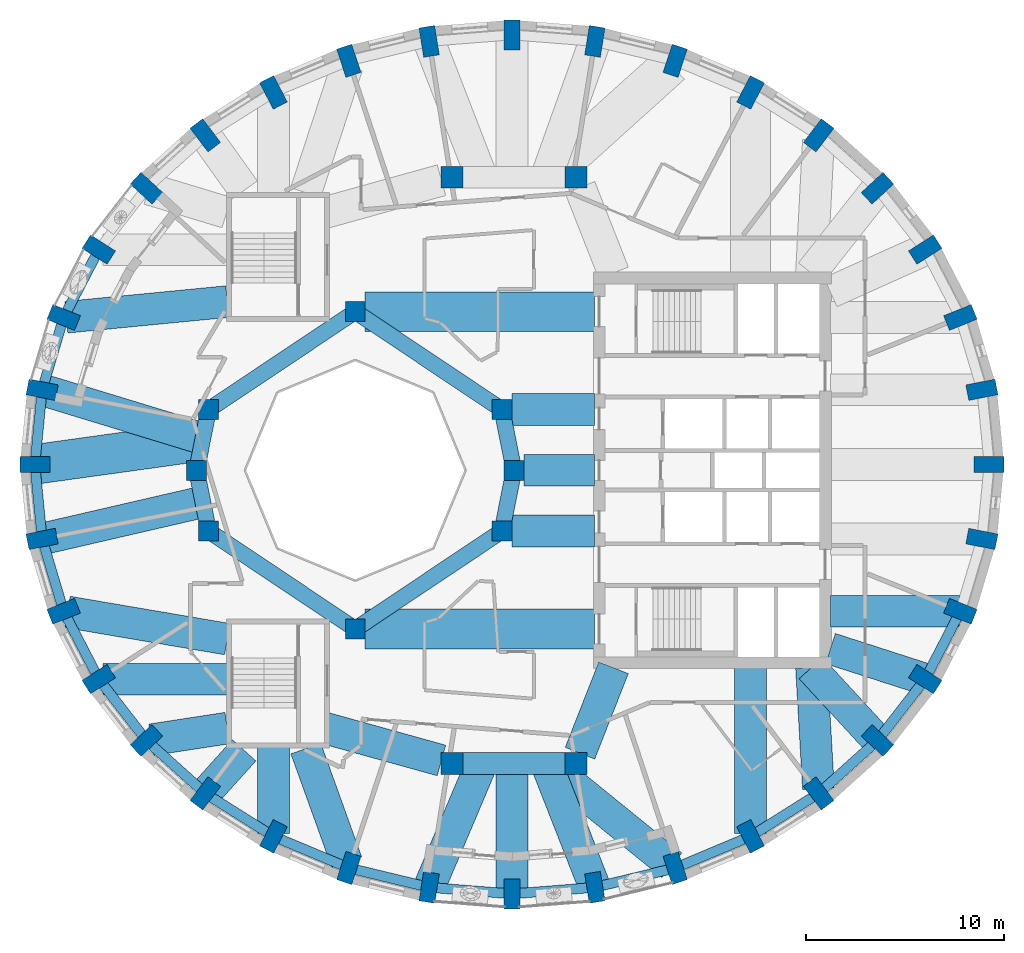
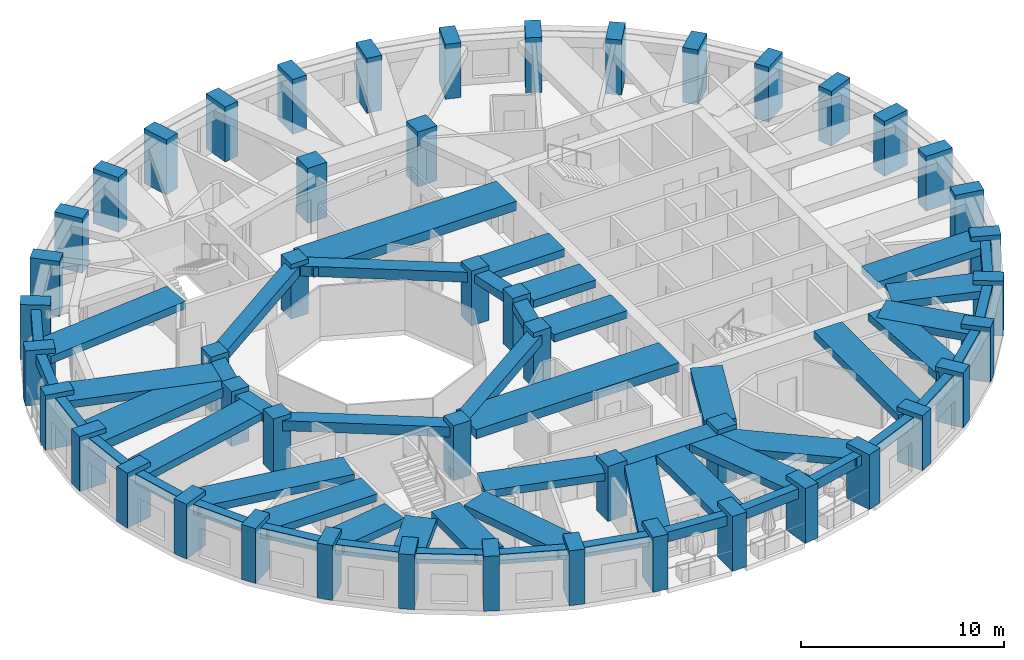
# One storey, part 1 of 12: 54 beams, 48 columns.
"""IFC4 building model written with IfcOpenShell, lengths in metres."""

from ifc_helpers import new_model, si_unit, direction, frame, origin, origin_2d, place, context, subcontext, project, spatial, rectangle, extrude, material, material_profile, profile_set, type_object, element, save


model = new_model("IFC4")

# Units and contexts
model_context = context("Model", 3, precision=1e-05, world=origin(), true_north=direction((0.0, 1.0)))
body_context = subcontext(model_context, "Body", "Model", "MODEL_VIEW")
ifc_project = project(units=[si_unit("LENGTHUNIT", "METRE"), si_unit("AREAUNIT", "SQUARE_METRE"), si_unit("VOLUMEUNIT", "CUBIC_METRE"), si_unit("PLANEANGLEUNIT", "RADIAN"), si_unit("MASSUNIT", "GRAM", prefix="KILO")], contexts=[model_context])

# Site, building, storey
site_placement = place(None, origin())
site = spatial("IfcSite", under=ifc_project, at=site_placement, CompositionType="ELEMENT")
building_placement = place(site_placement, origin())
building = spatial("IfcBuilding", under=site, at=building_placement, Name="Taillehof Tower", CompositionType="ELEMENT")
storey_placement = place(building_placement, frame((0.0, 0.0, 249.800048828125)))
storey = spatial("IfcBuildingStorey", under=building, at=storey_placement, Name="L71", CompositionType="ELEMENT", Elevation=249.800048828125)

# Columns
ifc_material_1 = material(Name="Concrete C50/60", Category="concrete")
ifc_material_profile_1 = material_profile(ifc_material_1, rectangle(XDim=1.0, YDim=1.0, at=origin_2d()), Name="RC 1000x1000")
ifc_profile_set_1 = profile_set([ifc_material_profile_1], Name="Concrete C50/60")
column_type_1 = type_object("IfcColumnType", Name="Atrium ring column C50/60 1000x1000", PredefinedType="COLUMN", material=ifc_profile_set_1)
for number, where, z_axis, x_axis, name in (
    (1, (0.0, 0.0, 0.0), (0.0, 0.0, 1.0), (1.0, 0.0, 0.0), "Column AC01"),
    (2, (-0.60888671875, 3.0615234375, 0.0), (0.0, 0.0, 1.0), (1.0, 0.0, 0.0), "Column AC02"),
    (3, (-8.0, 8.0, 0.0), (0.0, 0.0, 1.0), (1.0, 0.0, 0.0), "Column AC05"),
    (4, (-15.39111328125, 3.0615234375, 0.0), (0.0, 0.0, 1.0), (1.0, 0.0, 0.0), "Column AC08"),
    (5, (-16.0, 0.0, 0.0), (0.0, 0.0, 1.0), (1.0, 0.0, 0.0), "Column AC09"),
    (6, (-15.39111328125, -3.0615234375, 0.0), (0.0, 0.0, 1.0), (1.0, 0.0, 0.0), "Column AC10"),
    (7, (-8.0, -8.0, 0.0), (0.0, 0.0, 1.0), (1.0, 0.0, 0.0), "Column AC13"),
    (8, (-0.60888671875, -3.0615234375, 0.0), (0.0, 0.0, 1.0), (1.0, 0.0, 0.0), "Column AC16"),
):
    element("IfcColumn", number, at=place(storey_placement, frame(where, z_axis=z_axis, x_axis=x_axis)), inside=storey, type_object=column_type_1, Name=name, PredefinedType="COLUMN", context=body_context, shape_type="SweptSolid", body=[
        extrude(rectangle(XDim=1.0, YDim=1.0, at=origin_2d()), origin(), (0.0, 0.0, 1.0), 3.300048828125),
    ])
ifc_material_2 = material(Name="Concrete C50/60", Category="concrete")
ifc_material_profile_2 = material_profile(ifc_material_2, rectangle(XDim=1.10009765625, YDim=1.10009765625, at=origin_2d()), Name="RC 1100x1100")
ifc_profile_set_2 = profile_set([ifc_material_profile_2], Name="Concrete C50/60")
column_type_2 = type_object("IfcColumnType", Name="Mid-ring column C50/60 1100x1100", PredefinedType="COLUMN", material=ifc_profile_set_2)
for number, where, z_axis, x_axis, name in (
    (9, (3.125732421875, 14.772216796875, 0.0), (0.0, 0.0, 1.0), (1.0, 0.0, 0.0), "Column MC05"),
    (10, (-3.125732421875, 14.772216796875, 0.0), (0.0, 0.0, 1.0), (1.0, 0.0, 0.0), "Column MC06"),
    (11, (-3.125732421875, -14.772216796875, 0.0), (0.0, 0.0, 1.0), (1.0, 0.0, 0.0), "Column MC14"),
    (12, (3.125732421875, -14.772216796875, 0.0), (0.0, 0.0, 1.0), (1.0, 0.0, 0.0), "Column MC15"),
):
    element("IfcColumn", number, at=place(storey_placement, frame(where, z_axis=z_axis, x_axis=x_axis)), inside=storey, type_object=column_type_2, Name=name, PredefinedType="COLUMN", context=body_context, shape_type="SweptSolid", body=[
        extrude(rectangle(XDim=1.10009765625, YDim=1.10009765625, at=origin_2d()), origin(), (0.0, 0.0, 1.0), 3.300048828125),
    ])
ifc_material_3 = material(Name="Concrete C50/60", Category="concrete")
ifc_material_profile_3 = material_profile(ifc_material_3, rectangle(XDim=1.5, YDim=0.800048828125, at=origin_2d()), Name="RC 1500x800")
ifc_profile_set_3 = profile_set([ifc_material_profile_3], Name="Concrete C50/60")
column_type_3 = type_object("IfcColumnType", Name="Ring column C50/60 1500x800", PredefinedType="COLUMN", material=ifc_profile_set_3)
for number, where, z_axis, x_axis, name in (
    (13, (23.949951171875, 0.300048828125, 0.0), (0.0, 0.0, 1.0), (1.0, 0.0, 0.0), "Ring column RC01"),
    (14, (23.584716796875, 4.0595703125, 0.0), (0.0, 0.0, 1.0), (0.981472639166, 0.191602344891, 0.0), "Ring column RC02"),
    (15, (22.49951171875, 7.704833984375, 0.0), (0.0, 0.0, 1.0), (0.927524694272, 0.373761878092, 0.0), "Ring column RC03"),
    (16, (20.72802734375, 11.125, 0.0), (0.0, 0.0, 1.0), (0.842573772535, 0.538580948267, 0.0), "Ring column RC04"),
    (17, (18.323486328125, 14.21630859375, 0.0), (0.0, 0.0, 1.0), (0.73263579998, 0.680620881686, 0.0), "Ring column RC05"),
    (18, (15.359130859375, 16.884765625, 0.0), (0.0, 0.0, 1.0), (0.604020073066, 0.796969103123, 0.0), "Ring column RC06"),
    (19, (11.925048828125, 19.049560546875, 0.0), (0.0, 0.0, 1.0), (0.462383690865, 0.886679943622, 0.0), "Ring column RC07"),
    (20, (8.12548828125, 20.644287109375, 0.0), (0.0, 0.0, 1.0), (0.312304079287, 0.949982190391, 0.0), "Ring column RC08"),
    (21, (4.076171875, 21.62109375, 0.0), (0.0, 0.0, 1.0), (0.1572808136, 0.987553920388, 0.0), "Ring column RC09"),
    (22, (-0.10009765625, 21.949951171875, 0.0), (0.0, 0.0, 1.0), (0.0, 1.0, 0.0), "Ring column RC10"),
    (23, (-4.276123046875, 21.62109375, 0.0), (0.0, 0.0, 1.0), (-0.1572808136, 0.987553920388, 0.0), "Ring column RC11"),
    (24, (-8.32568359375, 20.644287109375, 0.0), (0.0, 0.0, 1.0), (-0.312304079287, 0.949982190391, 0.0), "Ring column RC12"),
    (25, (-12.125, 19.049560546875, 0.0), (0.0, 0.0, 1.0), (-0.462383690865, 0.886679943622, 0.0), "Ring column RC13"),
    (26, (-15.55908203125, 16.884765625, 0.0), (0.0, 0.0, 1.0), (-0.604020073066, 0.796969103123, 0.0), "Ring column RC14"),
    (27, (-18.5234375, 14.21630859375, 0.0), (0.0, 0.0, 1.0), (-0.73263579998, 0.680620881686, 0.0), "Ring column RC15"),
    (28, (-20.927978515625, 11.125, 0.0), (0.0, 0.0, 1.0), (-0.842573772535, 0.538580948267, 0.0), "Ring column RC16"),
    (29, (-22.69970703125, 7.704833984375, 0.0), (0.0, 0.0, 1.0), (-0.927524694272, 0.373761878092, 0.0), "Ring column RC17"),
    (30, (-23.78466796875, 4.0595703125, 0.0), (0.0, 0.0, 1.0), (-0.981472639166, 0.191602344891, 0.0), "Ring column RC18"),
    (31, (-24.14990234375, 0.300048828125, 0.0), (0.0, 0.0, 1.0), (-1.0, 0.0, 0.0), "Ring column RC19"),
    (32, (-23.78466796875, -3.45947265625, 0.0), (0.0, 0.0, 1.0), (-0.981472639166, -0.191602344891, 0.0), "Ring column RC20"),
    (33, (-22.69970703125, -7.104736328125, 0.0), (0.0, 0.0, 1.0), (-0.927524694272, -0.373761878092, 0.0), "Ring column RC21"),
    (34, (-20.927978515625, -10.52490234375, 0.0), (0.0, 0.0, 1.0), (-0.842573772535, -0.538580948267, 0.0), "Ring column RC22"),
    (35, (-18.5234375, -13.616455078125, 0.0), (0.0, 0.0, 1.0), (-0.73263579998, -0.680620881686, 0.0), "Ring column RC23"),
    (36, (-15.55908203125, -16.284912109375, 0.0), (0.0, 0.0, 1.0), (-0.604020073066, -0.796969103123, 0.0), "Ring column RC24"),
    (37, (-12.125, -18.449462890625, 0.0), (0.0, 0.0, 1.0), (-0.462383690865, -0.886679943622, 0.0), "Ring column RC25"),
    (38, (-8.32568359375, -20.04443359375, 0.0), (0.0, 0.0, 1.0), (-0.312304079287, -0.949982190391, 0.0), "Ring column RC26"),
    (39, (-4.276123046875, -21.02099609375, 0.0), (0.0, 0.0, 1.0), (-0.1572808136, -0.987553920388, 0.0), "Ring column RC27"),
    (40, (-0.10009765625, -21.35009765625, 0.0), (0.0, 0.0, 1.0), (0.0, -1.0, 0.0), "Ring column RC28"),
    (41, (4.076171875, -21.02099609375, 0.0), (0.0, 0.0, 1.0), (0.1572808136, -0.987553920388, 0.0), "Ring column RC29"),
    (42, (8.12548828125, -20.04443359375, 0.0), (0.0, 0.0, 1.0), (0.312304079287, -0.949982190391, 0.0), "Ring column RC30"),
    (43, (11.925048828125, -18.449462890625, 0.0), (0.0, 0.0, 1.0), (0.462383690865, -0.886679943622, 0.0), "Ring column RC31"),
    (44, (15.359130859375, -16.284912109375, 0.0), (0.0, 0.0, 1.0), (0.604020073066, -0.796969103123, 0.0), "Ring column RC32"),
    (45, (18.323486328125, -13.616455078125, 0.0), (0.0, 0.0, 1.0), (0.73263579998, -0.680620881686, 0.0), "Ring column RC33"),
    (46, (20.72802734375, -10.52490234375, 0.0), (0.0, 0.0, 1.0), (0.842573772535, -0.538580948267, 0.0), "Ring column RC34"),
    (47, (22.49951171875, -7.104736328125, 0.0), (0.0, 0.0, 1.0), (0.927524694272, -0.373761878092, 0.0), "Ring column RC35"),
    (48, (23.584716796875, -3.45947265625, 0.0), (0.0, 0.0, 1.0), (0.981472639166, -0.191602344891, 0.0), "Ring column RC36"),
):
    element("IfcColumn", number, at=place(storey_placement, frame(where, z_axis=z_axis, x_axis=x_axis)), inside=storey, type_object=column_type_3, Name=name, PredefinedType="COLUMN", context=body_context, shape_type="SweptSolid", body=[
        extrude(rectangle(XDim=1.5, YDim=0.800048828125, at=origin_2d()), origin(), (0.0, 0.0, 1.0), 3.300048828125),
    ])

# Beams
ifc_material_4 = material(Name="Concrete C50/60", Category="concrete")
ifc_material_profile_4 = material_profile(ifc_material_4, rectangle(XDim=0.800048828125, YDim=0.5, at=origin_2d()), Name="RC 800x500")
ifc_profile_set_4 = profile_set([ifc_material_profile_4], Name="Concrete C50/60")
beam_type_1 = type_object("IfcBeamType", Name="Atrium ring beam C50/60 800x500", PredefinedType="BEAM", material=ifc_profile_set_4)
for number, where, z_axis, x_axis, name in (
    (49, (0.0, 0.0, 2.77001953125), (-0.195063155143, 0.980790683839, 0.0), (-0.980790683839, -0.195063155143, 0.0), "Atrium ring beam AB01"),
    (50, (-15.39111328125, 3.0615234375, 2.77001953125), (-0.195063155143, -0.980790683839, 0.0), (0.980790683839, -0.195063155143, 0.0), "Atrium ring beam AB04"),
    (51, (-16.0, 0.0, 2.77001953125), (0.195063155143, -0.980790683839, 0.0), (0.980790683839, 0.195063155143, 0.0), "Atrium ring beam AB05"),
    (52, (-0.60888671875, -3.0615234375, 2.77001953125), (0.195063155143, 0.980790683839, 0.0), (-0.980790683839, 0.195063155143, 0.0), "Atrium ring beam AB08"),
):
    element("IfcBeam", number, at=place(storey_placement, frame(where, z_axis=z_axis, x_axis=x_axis)), inside=storey, type_object=beam_type_1, Name=name, PredefinedType="BEAM", context=body_context, shape_type="SweptSolid", body=[
        extrude(rectangle(XDim=0.800048828125, YDim=0.5, at=origin_2d()), origin(), (0.0, 0.0, 1.0), 3.12158203125),
    ])
ifc_material_5 = material(Name="Concrete C50/60", Category="concrete")
ifc_material_profile_5 = material_profile(ifc_material_5, rectangle(XDim=0.800048828125, YDim=0.60009765625, at=origin_2d()), Name="RC 800x600")
ifc_profile_set_5 = profile_set([ifc_material_profile_5], Name="Concrete C50/60")
beam_type_2 = type_object("IfcBeamType", Name="Atrium ring beam C50/60 800x600", PredefinedType="BEAM", material=ifc_profile_set_5)
for number, where, z_axis, x_axis, name in (
    (53, (-0.60888671875, 3.0615234375, 2.719970703125), (-0.831475195687, 0.555561876804, 0.0), (-0.555561876804, -0.831475195687, 0.0), "Atrium ring beam AB02"),
    (54, (-8.0, 8.0, 2.719970703125), (-0.831475195687, -0.555561876804, 0.0), (0.555561876804, -0.831475195687, 0.0), "Atrium ring beam AB03"),
    (55, (-15.39111328125, -3.0615234375, 2.719970703125), (0.831475195687, -0.555561876804, 0.0), (0.555561876804, 0.831475195687, 0.0), "Atrium ring beam AB06"),
    (56, (-8.0, -8.0, 2.719970703125), (0.831475195687, 0.555561876804, 0.0), (-0.555561876804, 0.831475195687, 0.0), "Atrium ring beam AB07"),
):
    element("IfcBeam", number, at=place(storey_placement, frame(where, z_axis=z_axis, x_axis=x_axis)), inside=storey, type_object=beam_type_2, Name=name, PredefinedType="BEAM", context=body_context, shape_type="SweptSolid", body=[
        extrude(rectangle(XDim=0.800048828125, YDim=0.60009765625, at=origin_2d()), origin(), (0.0, 0.0, 1.0), 8.88916015625),
    ])
ifc_material_6 = material(Name="Concrete C50/60", Category="concrete")
ifc_material_profile_6 = material_profile(ifc_material_6, rectangle(XDim=1.10009765625, YDim=0.60009765625, at=origin_2d()), Name="RC 1100x600")
ifc_profile_set_6 = profile_set([ifc_material_profile_6], Name="Concrete C50/60")
beam_type_3 = type_object("IfcBeamType", Name="Mid-ring beam C50/60 1100x600", PredefinedType="BEAM", material=ifc_profile_set_6)
beam_1_placement = place(storey_placement, frame((-3.125732421875, -14.772216796875, 2.719970703125), z_axis=(1.0, 0.0, 0.0), x_axis=(0.0, 1.0, 0.0)))
element("IfcBeam", 57, at=beam_1_placement, inside=storey, type_object=beam_type_3, Name="Mid-ring beam MB02", PredefinedType="BEAM", context=body_context, shape_type="SweptSolid", body=[
    extrude(rectangle(XDim=1.10009765625, YDim=0.60009765625, at=origin_2d()), origin(), (0.0, 0.0, 1.0), 6.25146484375),
])
ifc_material_7 = material(Name="Concrete C50/60", Category="concrete")
ifc_material_profile_7 = material_profile(ifc_material_7, rectangle(XDim=1.60009765625, YDim=0.449951171875, at=origin_2d()), Name="RC 1600x450")
ifc_profile_set_7 = profile_set([ifc_material_profile_7], Name="Concrete C50/60")
beam_type_4 = type_object("IfcBeamType", Name="Radial band beam C50/60 1600x450", PredefinedType="BEAM", material=ifc_profile_set_7)
beam_2_placement = place(storey_placement, frame((-22.564697265625, 7.7177734375, 2.794921875), z_axis=(0.995328408647, 0.096547185049, 0.0), x_axis=(-0.096547185049, 0.995328408647, 0.0)))
element("IfcBeam", 58, at=beam_2_placement, inside=storey, type_object=beam_type_4, Name="Radial band beam RB17", PredefinedType="BEAM", context=body_context, shape_type="SweptSolid", body=[
    extrude(rectangle(XDim=1.60009765625, YDim=0.449951171875, at=origin_2d()), origin(), (0.0, 0.0, 1.0), 8.152587890625),
])
beam_3_placement = place(storey_placement, frame((-23.78466796875, 4.0595703125, 2.794921875), z_axis=(0.956552302924, -0.291560785721, 0.0), x_axis=(0.291560785721, 0.956552302924, 0.0)))
element("IfcBeam", 59, at=beam_3_placement, inside=storey, type_object=beam_type_4, Name="Radial band beam RB18", PredefinedType="BEAM", context=body_context, shape_type="SweptSolid", body=[
    extrude(rectangle(XDim=1.60009765625, YDim=0.449951171875, at=origin_2d()), origin(), (0.0, 0.0, 1.0), 8.468994140625),
])
beam_4_placement = place(storey_placement, frame((-23.78466796875, -3.45947265625, 2.794921875), z_axis=(0.974400103511, 0.224820902672, 0.0), x_axis=(-0.224820902672, 0.974400103511, 0.0)))
element("IfcBeam", 60, at=beam_4_placement, inside=storey, type_object=beam_type_4, Name="Radial band beam RB20", PredefinedType="BEAM", context=body_context, shape_type="SweptSolid", body=[
    extrude(rectangle(XDim=1.60009765625, YDim=0.449951171875, at=origin_2d()), origin(), (0.0, 0.0, 1.0), 8.31396484375),
])
beam_5_placement = place(storey_placement, frame((-22.502685546875, -7.13818359375, 2.794921875), z_axis=(0.985830005482, -0.167747430059, 0.0), x_axis=(0.167747430059, 0.985830005482, 0.0)))
element("IfcBeam", 61, at=beam_5_placement, inside=storey, type_object=beam_type_4, Name="Radial band beam RB21", PredefinedType="BEAM", context=body_context, shape_type="SweptSolid", body=[
    extrude(rectangle(XDim=1.60009765625, YDim=0.449951171875, at=origin_2d()), origin(), (0.0, 0.0, 1.0), 8.167724609375),
])
beam_6_placement = place(storey_placement, frame((-20.7119140625, -10.52490234375, 2.794921875), z_axis=(1.0, 0.0, 0.0), x_axis=(0.0, 1.0, 0.0)))
element("IfcBeam", 62, at=beam_6_placement, inside=storey, type_object=beam_type_4, Name="Radial band beam RB22", PredefinedType="BEAM", context=body_context, shape_type="SweptSolid", body=[
    extrude(rectangle(XDim=1.60009765625, YDim=0.449951171875, at=origin_2d()), origin(), (0.0, 0.0, 1.0), 6.261962890625),
])
beam_7_placement = place(storey_placement, frame((-18.283447265625, -13.57958984375, 2.794921875), z_axis=(0.988468308682, 0.151427879634, 0.0), x_axis=(-0.151427879634, 0.988468308682, 0.0)))
element("IfcBeam", 63, at=beam_7_placement, inside=storey, type_object=beam_type_4, Name="Radial band beam RB23", PredefinedType="BEAM", context=body_context, shape_type="SweptSolid", body=[
    extrude(rectangle(XDim=1.60009765625, YDim=0.449951171875, at=origin_2d()), origin(), (0.0, 0.0, 1.0), 3.87744140625),
])
beam_8_placement = place(storey_placement, frame((-15.55908203125, -16.284912109375, 2.794921875), z_axis=(0.669439419649, 0.742866652516, 0.0), x_axis=(-0.742866652516, 0.669439419649, 0.0)))
element("IfcBeam", 64, at=beam_8_placement, inside=storey, type_object=beam_type_4, Name="Radial band beam RB24", PredefinedType="BEAM", context=body_context, shape_type="SweptSolid", body=[
    extrude(rectangle(XDim=1.60009765625, YDim=0.449951171875, at=origin_2d()), origin(), (0.0, 0.0, 1.0), 2.926025390625),
])
beam_9_placement = place(storey_placement, frame((-12.125, -18.3154296875, 2.794921875), z_axis=(0.0, 1.0, 0.0), x_axis=(-1.0, 0.0, 0.0)))
element("IfcBeam", 65, at=beam_9_placement, inside=storey, type_object=beam_type_4, Name="Radial band beam RB25", PredefinedType="BEAM", context=body_context, shape_type="SweptSolid", body=[
    extrude(rectangle(XDim=1.60009765625, YDim=0.449951171875, at=origin_2d()), origin(), (0.0, 0.0, 1.0), 4.365478515625),
])
beam_10_placement = place(storey_placement, frame((-8.42919921875, -19.755859375, 2.794921875), z_axis=(-0.338515207556, 0.940960920683, 0.0), x_axis=(-0.940960920683, -0.338515207556, 0.0)))
element("IfcBeam", 66, at=beam_10_placement, inside=storey, type_object=beam_type_4, Name="Radial band beam RB26", PredefinedType="BEAM", context=body_context, shape_type="SweptSolid", body=[
    extrude(rectangle(XDim=1.60009765625, YDim=0.449951171875, at=origin_2d()), origin(), (0.0, 0.0, 1.0), 6.094970703125),
])
beam_11_placement = place(storey_placement, frame((-4.276123046875, -21.02099609375, 2.794921875), z_axis=(0.390474101739, 0.920613912491, 0.0), x_axis=(-0.920613912491, 0.390474101739, 0.0)))
element("IfcBeam", 67, at=beam_11_placement, inside=storey, type_object=beam_type_4, Name="Radial band beam RB27", PredefinedType="BEAM", context=body_context, shape_type="SweptSolid", body=[
    extrude(rectangle(XDim=1.60009765625, YDim=0.449951171875, at=origin_2d()), origin(), (0.0, 0.0, 1.0), 6.78759765625),
])
beam_12_placement = place(storey_placement, frame((-0.10009765625, -21.35009765625, 2.794921875), z_axis=(0.0, 1.0, 0.0), x_axis=(-1.0, 0.0, 0.0)))
element("IfcBeam", 68, at=beam_12_placement, inside=storey, type_object=beam_type_4, Name="Radial band beam RB28", PredefinedType="BEAM", context=body_context, shape_type="SweptSolid", body=[
    extrude(rectangle(XDim=1.60009765625, YDim=0.449951171875, at=origin_2d()), origin(), (0.0, 0.0, 1.0), 6.577880859375),
])
beam_13_placement = place(storey_placement, frame((4.076171875, -21.02099609375, 2.794921875), z_axis=(-0.365079492969, 0.93097634976, 0.0), x_axis=(-0.93097634976, -0.365079492969, 0.0)))
element("IfcBeam", 69, at=beam_13_placement, inside=storey, type_object=beam_type_4, Name="Radial band beam RB29", PredefinedType="BEAM", context=body_context, shape_type="SweptSolid", body=[
    extrude(rectangle(XDim=1.60009765625, YDim=0.449951171875, at=origin_2d()), origin(), (0.0, 0.0, 1.0), 6.712158203125),
])
beam_14_placement = place(storey_placement, frame((7.9560546875, -19.90673828125, 2.794921875), z_axis=(-0.776646099525, 0.629937168369, 0.0), x_axis=(-0.629937168369, -0.776646099525, 0.0)))
element("IfcBeam", 70, at=beam_14_placement, inside=storey, type_object=beam_type_4, Name="Radial band beam RB30", PredefinedType="BEAM", context=body_context, shape_type="SweptSolid", body=[
    extrude(rectangle(XDim=1.60009765625, YDim=0.449951171875, at=origin_2d()), origin(), (0.0, 0.0, 1.0), 8.03759765625),
])
beam_15_placement = place(storey_placement, frame((11.925048828125, -18.3154296875, 2.794921875), z_axis=(0.0, 1.0, 0.0), x_axis=(-1.0, 0.0, 0.0)))
element("IfcBeam", 71, at=beam_15_placement, inside=storey, type_object=beam_type_4, Name="Radial band beam RB31", PredefinedType="BEAM", context=body_context, shape_type="SweptSolid", body=[
    extrude(rectangle(XDim=1.60009765625, YDim=0.449951171875, at=origin_2d()), origin(), (0.0, 0.0, 1.0), 8.365478515625),
])
beam_16_placement = place(storey_placement, frame((15.345703125, -16.050537109375, 2.794921875), z_axis=(-0.057056617778, 0.998370944273, 0.0), x_axis=(-0.998370944273, -0.057056617778, 0.0)))
element("IfcBeam", 72, at=beam_16_placement, inside=storey, type_object=beam_type_4, Name="Radial band beam RB32", PredefinedType="BEAM", context=body_context, shape_type="SweptSolid", body=[
    extrude(rectangle(XDim=1.60009765625, YDim=0.449951171875, at=origin_2d()), origin(), (0.0, 0.0, 1.0), 6.1103515625),
])
beam_17_placement = place(storey_placement, frame((18.323486328125, -13.616455078125, 2.794921875), z_axis=(-0.676659897365, 0.736295717289, 0.0), x_axis=(-0.736295717289, -0.676659897365, 0.0)))
element("IfcBeam", 73, at=beam_17_placement, inside=storey, type_object=beam_type_4, Name="Radial band beam RB33", PredefinedType="BEAM", context=body_context, shape_type="SweptSolid", body=[
    extrude(rectangle(XDim=1.60009765625, YDim=0.449951171875, at=origin_2d()), origin(), (0.0, 0.0, 1.0), 4.961669921875),
])
beam_18_placement = place(storey_placement, frame((20.72802734375, -10.52490234375, 2.794921875), z_axis=(-0.951722832358, 0.306958711178, 0.0), x_axis=(-0.306958711178, -0.951722832358, 0.0)))
element("IfcBeam", 74, at=beam_18_placement, inside=storey, type_object=beam_type_4, Name="Radial band beam RB34", PredefinedType="BEAM", context=body_context, shape_type="SweptSolid", body=[
    extrude(rectangle(XDim=1.60009765625, YDim=0.449951171875, at=origin_2d()), origin(), (0.0, 0.0, 1.0), 5.017822265625),
])
beam_19_placement = place(storey_placement, frame((22.44580078125, -7.104736328125, 2.794921875), z_axis=(-1.0, 0.0, 0.0), x_axis=(0.0, -1.0, 0.0)))
element("IfcBeam", 75, at=beam_19_placement, inside=storey, type_object=beam_type_4, Name="Radial band beam RB35", PredefinedType="BEAM", context=body_context, shape_type="SweptSolid", body=[
    extrude(rectangle(XDim=1.60009765625, YDim=0.449951171875, at=origin_2d()), origin(), (0.0, 0.0, 1.0), 6.495849609375),
])
beam_20_placement = place(storey_placement, frame((0.5, 0.0, 2.794921875), z_axis=(1.0, 0.0, 0.0), x_axis=(0.0, 1.0, 0.0)))
element("IfcBeam", 76, at=beam_20_placement, inside=storey, type_object=beam_type_4, Name="Inner band beam IB101", PredefinedType="BEAM", context=body_context, shape_type="SweptSolid", body=[
    extrude(rectangle(XDim=1.60009765625, YDim=0.449951171875, at=origin_2d()), origin(), (0.0, 0.0, 1.0), 3.550048828125),
])
for number, where, z_axis, x_axis, name in (
    (77, (-0.10888671875, 3.0615234375, 2.794921875), (1.0, 0.0, 0.0), (0.0, 1.0, 0.0), "Inner band beam IB102"),
    (78, (-0.10888671875, -3.0615234375, 2.794921875), (1.0, 0.0, 0.0), (0.0, 1.0, 0.0), "Inner band beam IB116"),
):
    element("IfcBeam", number, at=place(storey_placement, frame(where, z_axis=z_axis, x_axis=x_axis)), inside=storey, type_object=beam_type_4, Name=name, PredefinedType="BEAM", context=body_context, shape_type="SweptSolid", body=[
        extrude(rectangle(XDim=1.60009765625, YDim=0.449951171875, at=origin_2d()), origin(), (0.0, 0.0, 1.0), 4.158935546875),
    ])
beam_21_placement = place(storey_placement, frame((-3.655517578125, -14.624755859375, 2.794921875), z_axis=(-0.963459369536, 0.267854518821, 0.0), x_axis=(-0.267854518821, -0.963459369536, 0.0)))
element("IfcBeam", 79, at=beam_21_placement, inside=storey, type_object=beam_type_4, Name="Inner band beam IB214", PredefinedType="BEAM", context=body_context, shape_type="SweptSolid", body=[
    extrude(rectangle(XDim=1.60009765625, YDim=0.449951171875, at=origin_2d()), origin(), (0.0, 0.0, 1.0), 6.096923828125),
])
beam_22_placement = place(storey_placement, frame((3.32666015625, -14.26025390625, 2.794921875), z_axis=(0.365588707223, 0.930776502255, 0.0), x_axis=(-0.930776502255, 0.365588707223, 0.0)))
element("IfcBeam", 80, at=beam_22_placement, inside=storey, type_object=beam_type_4, Name="Inner band beam IB215", PredefinedType="BEAM", context=body_context, shape_type="SweptSolid", body=[
    extrude(rectangle(XDim=1.60009765625, YDim=0.449951171875, at=origin_2d()), origin(), (0.0, 0.0, 1.0), 4.627197265625),
])
ifc_material_8 = material(Name="Concrete C50/60", Category="concrete")
ifc_material_profile_8 = material_profile(ifc_material_8, rectangle(XDim=2.0, YDim=0.550048828125, at=origin_2d()), Name="RC 2000x550")
ifc_profile_set_8 = profile_set([ifc_material_profile_8], Name="Concrete C50/60")
beam_type_5 = type_object("IfcBeamType", Name="Radial band beam C50/60 2000x550", PredefinedType="BEAM", material=ifc_profile_set_8)
beam_23_placement = place(storey_placement, frame((-24.14990234375, 0.300048828125, 2.744873046875), z_axis=(0.990515351696, 0.137402103528, 0.0), x_axis=(-0.137402103528, 0.990515351696, 0.0)))
element("IfcBeam", 81, at=beam_23_placement, inside=storey, type_object=beam_type_5, Name="Radial band beam RB19", PredefinedType="BEAM", context=body_context, shape_type="SweptSolid", body=[
    extrude(rectangle(XDim=2.0, YDim=0.550048828125, at=origin_2d()), origin(), (0.0, 0.0, 1.0), 8.5234375),
])
for number, where, z_axis, x_axis, name in (
    (82, (-7.5, 8.0, 2.744873046875), (1.0, 0.0, 0.0), (0.0, 1.0, 0.0), "Inner band beam IB105"),
    (83, (-7.5, -8.0, 2.744873046875), (1.0, 0.0, 0.0), (0.0, 1.0, 0.0), "Inner band beam IB113"),
):
    element("IfcBeam", number, at=place(storey_placement, frame(where, z_axis=z_axis, x_axis=x_axis)), inside=storey, type_object=beam_type_5, Name=name, PredefinedType="BEAM", context=body_context, shape_type="SweptSolid", body=[
        extrude(rectangle(XDim=2.0, YDim=0.550048828125, at=origin_2d()), origin(), (0.0, 0.0, 1.0), 11.550048828125),
    ])
ifc_material_9 = material(Name="Concrete C50/60", Category="concrete")
ifc_material_profile_9 = material_profile(ifc_material_9, rectangle(XDim=0.5, YDim=0.60009765625, at=origin_2d()), Name="RC 500x600")
ifc_profile_set_9 = profile_set([ifc_material_profile_9], Name="Concrete C50/60")
beam_type_6 = type_object("IfcBeamType", Name="Spandrel beam C50/60 500x600", PredefinedType="SPANDREL", material=ifc_profile_set_9)
beam_24_placement = place(storey_placement, frame((-20.927978515625, 11.125, 2.719970703125), z_axis=(-0.459971160554, -0.88793385534, 0.0), x_axis=(0.88793385534, -0.459971160554, 0.0)))
element("IfcBeam", 84, at=beam_24_placement, inside=storey, type_object=beam_type_6, Name="Spandrel beam SB16", PredefinedType="SPANDREL", context=body_context, shape_type="SweptSolid", body=[
    extrude(rectangle(XDim=0.5, YDim=0.60009765625, at=origin_2d()), origin(), (0.0, 0.0, 1.0), 3.851806640625),
])
beam_25_placement = place(storey_placement, frame((-22.69970703125, 7.704833984375, 2.719970703125), z_axis=(-0.285268336874, -0.958447690788, 0.0), x_axis=(0.958447690788, -0.285268336874, 0.0)))
element("IfcBeam", 85, at=beam_25_placement, inside=storey, type_object=beam_type_6, Name="Spandrel beam SB17", PredefinedType="SPANDREL", context=body_context, shape_type="SweptSolid", body=[
    extrude(rectangle(XDim=0.5, YDim=0.60009765625, at=origin_2d()), origin(), (0.0, 0.0, 1.0), 3.80322265625),
])
for number, where, z_axis, x_axis, name in (
    (86, (-23.78466796875, 4.0595703125, 2.719970703125), (-0.096693940319, -0.995314162416, 0.0), (0.995314162416, -0.096693940319, 0.0), "Spandrel beam SB18"),
    (87, (-24.14990234375, 0.300048828125, 2.719970703125), (0.096693940319, -0.995314162416, 0.0), (0.995314162416, 0.096693940319, 0.0), "Spandrel beam SB19"),
):
    element("IfcBeam", number, at=place(storey_placement, frame(where, z_axis=z_axis, x_axis=x_axis)), inside=storey, type_object=beam_type_6, Name=name, PredefinedType="SPANDREL", context=body_context, shape_type="SweptSolid", body=[
        extrude(rectangle(XDim=0.5, YDim=0.60009765625, at=origin_2d()), origin(), (0.0, 0.0, 1.0), 3.777099609375),
    ])
beam_26_placement = place(storey_placement, frame((-23.78466796875, -3.45947265625, 2.719970703125), z_axis=(0.285268336874, -0.958447690788, 0.0), x_axis=(0.958447690788, 0.285268336874, 0.0)))
element("IfcBeam", 88, at=beam_26_placement, inside=storey, type_object=beam_type_6, Name="Spandrel beam SB20", PredefinedType="SPANDREL", context=body_context, shape_type="SweptSolid", body=[
    extrude(rectangle(XDim=0.5, YDim=0.60009765625, at=origin_2d()), origin(), (0.0, 0.0, 1.0), 3.80322265625),
])
beam_27_placement = place(storey_placement, frame((-22.69970703125, -7.104736328125, 2.719970703125), z_axis=(0.459971160554, -0.88793385534, 0.0), x_axis=(0.88793385534, 0.459971160554, 0.0)))
element("IfcBeam", 89, at=beam_27_placement, inside=storey, type_object=beam_type_6, Name="Spandrel beam SB21", PredefinedType="SPANDREL", context=body_context, shape_type="SweptSolid", body=[
    extrude(rectangle(XDim=0.5, YDim=0.60009765625, at=origin_2d()), origin(), (0.0, 0.0, 1.0), 3.851806640625),
])
beam_28_placement = place(storey_placement, frame((-20.927978515625, -10.52490234375, 2.719970703125), z_axis=(0.613940613515, -0.789352217376, 0.0), x_axis=(0.789352217376, 0.613940613515, 0.0)))
element("IfcBeam", 90, at=beam_28_placement, inside=storey, type_object=beam_type_6, Name="Spandrel beam SB22", PredefinedType="SPANDREL", context=body_context, shape_type="SweptSolid", body=[
    extrude(rectangle(XDim=0.5, YDim=0.60009765625, at=origin_2d()), origin(), (0.0, 0.0, 1.0), 3.91650390625),
])
beam_29_placement = place(storey_placement, frame((-18.5234375, -13.616455078125, 2.719970703125), z_axis=(0.743227182134, -0.669039128704, 0.0), x_axis=(0.669039128704, 0.743227182134, 0.0)))
element("IfcBeam", 91, at=beam_29_placement, inside=storey, type_object=beam_type_6, Name="Spandrel beam SB23", PredefinedType="SPANDREL", context=body_context, shape_type="SweptSolid", body=[
    extrude(rectangle(XDim=0.5, YDim=0.60009765625, at=origin_2d()), origin(), (0.0, 0.0, 1.0), 3.988525390625),
])
beam_30_placement = place(storey_placement, frame((-15.55908203125, -16.284912109375, 2.719970703125), z_axis=(0.845971606716, -0.533227944344, 0.0), x_axis=(0.533227944344, 0.845971606716, 0.0)))
element("IfcBeam", 92, at=beam_30_placement, inside=storey, type_object=beam_type_6, Name="Spandrel beam SB24", PredefinedType="SPANDREL", context=body_context, shape_type="SweptSolid", body=[
    extrude(rectangle(XDim=0.5, YDim=0.60009765625, at=origin_2d()), origin(), (0.0, 0.0, 1.0), 4.059326171875),
])
beam_31_placement = place(storey_placement, frame((-12.125, -18.449462890625, 2.719970703125), z_axis=(0.922046399446, -0.387079368178, 0.0), x_axis=(0.387079368178, 0.922046399446, 0.0)))
element("IfcBeam", 93, at=beam_31_placement, inside=storey, type_object=beam_type_6, Name="Spandrel beam SB25", PredefinedType="SPANDREL", context=body_context, shape_type="SweptSolid", body=[
    extrude(rectangle(XDim=0.5, YDim=0.60009765625, at=origin_2d()), origin(), (0.0, 0.0, 1.0), 4.12060546875),
])
beam_32_placement = place(storey_placement, frame((-8.32568359375, -20.04443359375, 2.719970703125), z_axis=(0.972132431202, -0.234432370218, 0.0), x_axis=(0.234432370218, 0.972132431202, 0.0)))
element("IfcBeam", 94, at=beam_32_placement, inside=storey, type_object=beam_type_6, Name="Spandrel beam SB26", PredefinedType="SPANDREL", context=body_context, shape_type="SweptSolid", body=[
    extrude(rectangle(XDim=0.5, YDim=0.60009765625, at=origin_2d()), origin(), (0.0, 0.0, 1.0), 4.16552734375),
])
beam_33_placement = place(storey_placement, frame((-4.276123046875, -21.02099609375, 2.719970703125), z_axis=(0.996909089392, -0.078563779743, 0.0), x_axis=(0.078563779743, 0.996909089392, 0.0)))
element("IfcBeam", 95, at=beam_33_placement, inside=storey, type_object=beam_type_6, Name="Spandrel beam SB27", PredefinedType="SPANDREL", context=body_context, shape_type="SweptSolid", body=[
    extrude(rectangle(XDim=0.5, YDim=0.60009765625, at=origin_2d()), origin(), (0.0, 0.0, 1.0), 4.18896484375),
])
beam_34_placement = place(storey_placement, frame((-0.10009765625, -21.35009765625, 2.719970703125), z_axis=(0.996909449091, 0.078559215326, 0.0), x_axis=(-0.078559215326, 0.996909449091, 0.0)))
element("IfcBeam", 96, at=beam_34_placement, inside=storey, type_object=beam_type_6, Name="Spandrel beam SB28", PredefinedType="SPANDREL", context=body_context, shape_type="SweptSolid", body=[
    extrude(rectangle(XDim=0.5, YDim=0.60009765625, at=origin_2d()), origin(), (0.0, 0.0, 1.0), 4.189208984375),
])
beam_35_placement = place(storey_placement, frame((4.076171875, -21.02099609375, 2.719970703125), z_axis=(0.972129209911, 0.234445727701, 0.0), x_axis=(-0.234445727701, 0.972129209911, 0.0)))
element("IfcBeam", 97, at=beam_35_placement, inside=storey, type_object=beam_type_6, Name="Spandrel beam SB29", PredefinedType="SPANDREL", context=body_context, shape_type="SweptSolid", body=[
    extrude(rectangle(XDim=0.5, YDim=0.60009765625, at=origin_2d()), origin(), (0.0, 0.0, 1.0), 4.16552734375),
])
beam_36_placement = place(storey_placement, frame((8.12548828125, -20.04443359375, 2.719970703125), z_axis=(0.922055276152, 0.38705822265, 0.0), x_axis=(-0.38705822265, 0.922055276152, 0.0)))
element("IfcBeam", 98, at=beam_36_placement, inside=storey, type_object=beam_type_6, Name="Spandrel beam SB30", PredefinedType="SPANDREL", context=body_context, shape_type="SweptSolid", body=[
    extrude(rectangle(XDim=0.5, YDim=0.60009765625, at=origin_2d()), origin(), (0.0, 0.0, 1.0), 4.120849609375),
])
beam_37_placement = place(storey_placement, frame((11.925048828125, -18.449462890625, 2.719970703125), z_axis=(0.845971606716, 0.533227944344, 0.0), x_axis=(-0.533227944344, 0.845971606716, 0.0)))
element("IfcBeam", 99, at=beam_37_placement, inside=storey, type_object=beam_type_6, Name="Spandrel beam SB31", PredefinedType="SPANDREL", context=body_context, shape_type="SweptSolid", body=[
    extrude(rectangle(XDim=0.5, YDim=0.60009765625, at=origin_2d()), origin(), (0.0, 0.0, 1.0), 4.059326171875),
])
beam_38_placement = place(storey_placement, frame((15.359130859375, -16.284912109375, 2.719970703125), z_axis=(0.743227182134, 0.669039128704, 0.0), x_axis=(-0.669039128704, 0.743227182134, 0.0)))
element("IfcBeam", 100, at=beam_38_placement, inside=storey, type_object=beam_type_6, Name="Spandrel beam SB32", PredefinedType="SPANDREL", context=body_context, shape_type="SweptSolid", body=[
    extrude(rectangle(XDim=0.5, YDim=0.60009765625, at=origin_2d()), origin(), (0.0, 0.0, 1.0), 3.988525390625),
])
beam_39_placement = place(storey_placement, frame((18.323486328125, -13.616455078125, 2.719970703125), z_axis=(0.613940613515, 0.789352217376, 0.0), x_axis=(-0.789352217376, 0.613940613515, 0.0)))
element("IfcBeam", 101, at=beam_39_placement, inside=storey, type_object=beam_type_6, Name="Spandrel beam SB33", PredefinedType="SPANDREL", context=body_context, shape_type="SweptSolid", body=[
    extrude(rectangle(XDim=0.5, YDim=0.60009765625, at=origin_2d()), origin(), (0.0, 0.0, 1.0), 3.91650390625),
])
beam_40_placement = place(storey_placement, frame((20.72802734375, -10.52490234375, 2.719970703125), z_axis=(0.45992118545, 0.887959741865, 0.0), x_axis=(-0.887959741865, 0.45992118545, 0.0)))
element("IfcBeam", 102, at=beam_40_placement, inside=storey, type_object=beam_type_6, Name="Spandrel beam SB34", PredefinedType="SPANDREL", context=body_context, shape_type="SweptSolid", body=[
    extrude(rectangle(XDim=0.5, YDim=0.60009765625, at=origin_2d()), origin(), (0.0, 0.0, 1.0), 3.851806640625),
])

save(model, "model.ifc")
